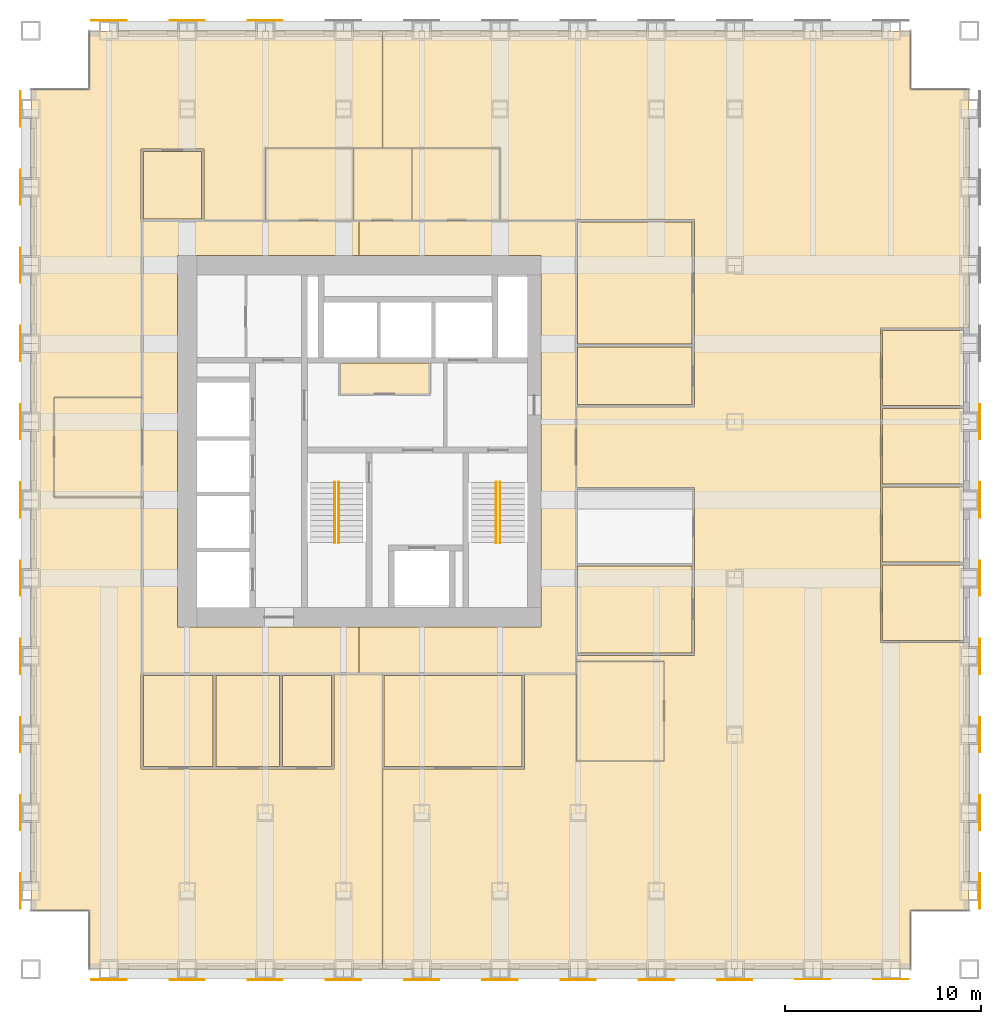
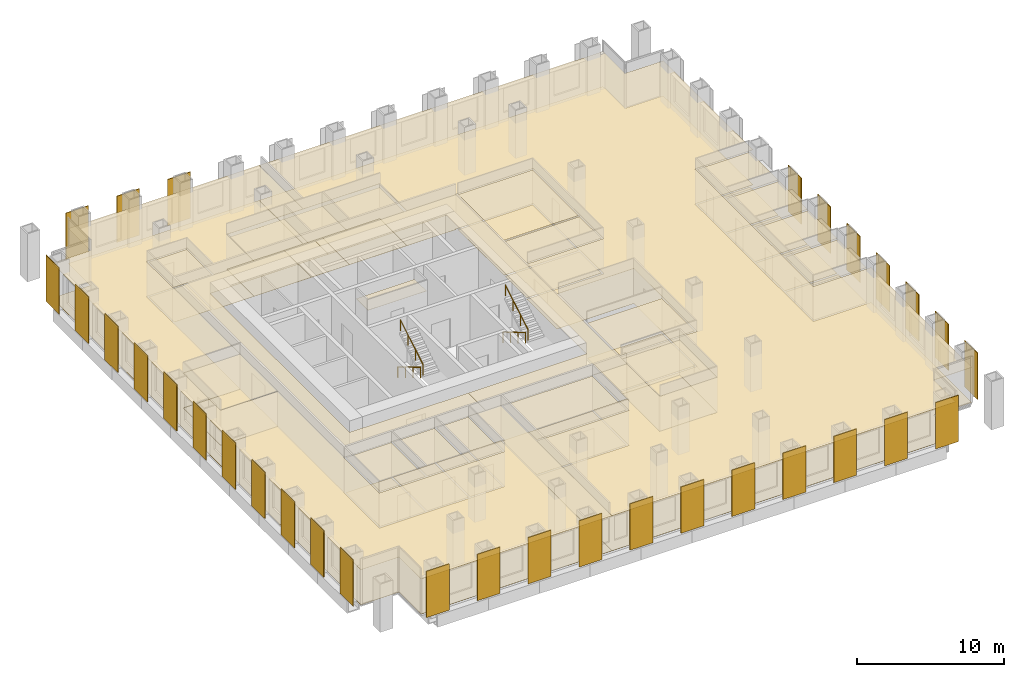
# One storey, part 15 of 16: 41 coverings, 32 shading devices, 4 railings.
"""IFC4 building model written with IfcOpenShell, lengths in metres."""

import ifcopenshell
import ifcopenshell.guid

model = None  # the IFC model being written
_history = None  # IfcOwnerHistory: only IFC2X3 demands one
_inside = {}  # id of a spatial element -> (the spatial element, [elements in it])
_under = {}  # id of a project, library or spatial element -> (it, [spatial elements below it])
_declared = {}  # id of a project -> (the project, [libraries it declares])
_typed = {}  # id of a type object -> (the type object, [elements of that type])
_made_of = {}  # id of a material, layer set ... -> (it, [elements and type objects made of it])


def new_model(schema):
    """Start an empty IFC model of exactly this schema.

    Asked for "IFC4X3", IfcOpenShell would pick the latest addendum, in which some entities
    have other attributes; the version numbers below select the first issue.
    IFC2X3 requires an IfcOwnerHistory on every rooted entity: one is made here for all.
    """
    global model, _history
    if schema == "IFC4X3":
        model = ifcopenshell.file(schema_version=(4, 3, 0, 0))
    else:
        model = ifcopenshell.file(schema=schema)
    _inside.clear()
    _under.clear()
    _declared.clear()
    _typed.clear()
    _made_of.clear()
    _history = None
    if model.schema == "IFC2X3":
        org = make("IfcOrganization", Name="unknown")
        user = make(
            "IfcPersonAndOrganization",
            ThePerson=make("IfcPerson", FamilyName="unknown"),
            TheOrganization=org,
        )
        app = make(
            "IfcApplication",
            ApplicationDeveloper=org,
            Version="unknown",
            ApplicationFullName="unknown",
            ApplicationIdentifier="unknown",
        )
        _history = make(
            "IfcOwnerHistory",
            OwningUser=user,
            OwningApplication=app,
            ChangeAction="ADDED",
            CreationDate=0,
        )
    return model


def make(cls, **values):
    """One entity of the class cls with the attributes given. An attribute that is None is left unset."""
    return model.create_entity(
        cls, **{name: value for name, value in values.items() if value is not None}
    )


def rooted(cls, **values):
    """An entity with a GlobalId (a new one), such as an element, a storey or a relation."""
    return make(cls, GlobalId=ifcopenshell.guid.new(), OwnerHistory=_history, **values)


def si_unit(unit_type, name, prefix=None):
    """IfcSIUnit, for example si_unit("LENGTHUNIT", "METRE", prefix="MILLI")."""
    return make("IfcSIUnit", UnitType=unit_type, Prefix=prefix, Name=name)


def assignment(units):
    """IfcUnitAssignment: the units of a project."""
    return None if units is None else make("IfcUnitAssignment", Units=units)


def point(xyz):
    """IfcCartesianPoint."""
    return None if xyz is None else make("IfcCartesianPoint", Coordinates=xyz)


def direction(xyz):
    """IfcDirection."""
    return None if xyz is None else make("IfcDirection", DirectionRatios=xyz)


def frame(location, z_axis=None, x_axis=None):
    """IfcAxis2Placement3D, a coordinate frame: its origin and axes. An axis left out is left unset."""
    return make(
        "IfcAxis2Placement3D",
        Location=point(location),
        Axis=direction(z_axis),
        RefDirection=direction(x_axis),
    )


def frame_2d(location, x_axis=None):
    """IfcAxis2Placement2D, a coordinate frame in the plane: its origin and x axis."""
    return make(
        "IfcAxis2Placement2D", Location=point(location), RefDirection=direction(x_axis)
    )


def origin():
    """The frame at (0, 0, 0) with its axes left unset."""
    return frame((0.0, 0.0, 0.0))


def origin_2d():
    """The frame at (0, 0) in the plane with its x axis left unset."""
    return frame_2d((0.0, 0.0))


def place(relative_to, where):
    """IfcLocalPlacement: puts the frame where relative to a parent placement (None: the world)."""
    return make(
        "IfcLocalPlacement", PlacementRelTo=relative_to, RelativePlacement=where
    )


def context(
    kind, dimensions, precision=None, world=None, true_north=None, identifier=None
):
    """IfcGeometricRepresentationContext, for example the 3D "Model" context."""
    return make(
        "IfcGeometricRepresentationContext",
        ContextIdentifier=identifier,
        ContextType=kind,
        CoordinateSpaceDimension=dimensions,
        Precision=precision,
        WorldCoordinateSystem=world,
        TrueNorth=true_north,
    )


def subcontext(parent, identifier, kind, view, scale=None):
    """IfcGeometricRepresentationSubContext, for example "Body" below "Model"."""
    return make(
        "IfcGeometricRepresentationSubContext",
        ContextIdentifier=identifier,
        ContextType=kind,
        ParentContext=parent,
        TargetScale=scale,
        TargetView=view,
    )


def project(units=None, contexts=None):
    """IfcProject with its units and contexts."""
    return rooted(
        "IfcProject",
        Name="project",
        RepresentationContexts=contexts,
        UnitsInContext=assignment(units),
    )


def spatial(cls, under=None, at=None, **own):
    """A site, building, storey or space (cls), placed at a placement, below another one or the project."""
    s = rooted(cls, ObjectPlacement=at, **own)
    if under is not None:
        _under.setdefault(under.id(), (under, []))[1].append(s)
    return s


def polyline(points):
    """IfcPolyline through the points."""
    return make("IfcPolyline", Points=[point(p) for p in points])


def profile(cls, at=None, kind="AREA", **sizes):
    """A parametric profile (cls). Its sizes go by their IFC names, for example OverallWidth=200.0."""
    return make(cls, ProfileType=kind, Position=at, **sizes)


def rectangle(**sizes):
    """IfcRectangleProfileDef."""
    return profile("IfcRectangleProfileDef", **sizes)


def circle(**sizes):
    """IfcCircleProfileDef."""
    return profile("IfcCircleProfileDef", **sizes)


def outline(outer, holes=None, kind="AREA"):
    """IfcArbitraryClosedProfileDef: a profile drawn as a closed curve; with holes, ...WithVoids."""
    if holes is None:
        return make("IfcArbitraryClosedProfileDef", ProfileType=kind, OuterCurve=outer)
    return make(
        "IfcArbitraryProfileDefWithVoids",
        ProfileType=kind,
        OuterCurve=outer,
        InnerCurves=holes,
    )


def extrude(swept, where, along, depth):
    """IfcExtrudedAreaSolid: the profile swept, set in the frame where, extruded along a direction by depth."""
    return make(
        "IfcExtrudedAreaSolid",
        SweptArea=swept,
        Position=where,
        ExtrudedDirection=direction(along),
        Depth=depth,
    )


def shape(context_of_items, identifier, shape_type, items):
    """IfcShapeRepresentation: the items that make up one representation, for example the "Body"."""
    return make(
        "IfcShapeRepresentation",
        ContextOfItems=context_of_items,
        RepresentationIdentifier=identifier,
        RepresentationType=shape_type,
        Items=items,
    )


def material(Name=None, Category=None):
    """IfcMaterial."""
    return make("IfcMaterial", Name=Name, Category=Category)


def layer(
    of_material, thickness, ventilated=None, Name=None, Category=None, Priority=None
):
    """IfcMaterialLayer: one layer of a wall or slab, of a material (None: an air gap)."""
    return make(
        "IfcMaterialLayer",
        Material=of_material,
        LayerThickness=thickness,
        IsVentilated=ventilated,
        Name=Name,
        Category=Category,
        Priority=Priority,
    )


def layer_set(layers, Name=None):
    """IfcMaterialLayerSet."""
    return make("IfcMaterialLayerSet", MaterialLayers=layers, LayerSetName=Name)


def made_of(thing, what):
    """Note that an element or type object is made of a material, layer set ...; save() writes the relation."""
    if what is not None:
        _made_of.setdefault(what.id(), (what, []))[1].append(thing)
    return thing


def type_object(cls, material=None, **own):
    """A type object (cls), such as IfcWallType, which elements share."""
    return made_of(rooted(cls, **own), material)


def element(
    cls,
    number,
    at=None,
    inside=None,
    cuts=None,
    type_object=None,
    material=None,
    context=None,
    identifier="Body",
    shape_type=None,
    held_by="IfcProductDefinitionShape",
    body=None,
    shapes=None,
    **own,
):
    """One element of the class cls, such as IfcWall. Its Tag is "e" and its number.

    at: its placement. inside: the storey or other place that contains it. cuts: it is an
    opening in that element (IfcRelVoidsElement). A single representation is given by context,
    identifier, shape_type and body (its items); several are given by shapes. held_by: the class
    of the entity that holds the representations. save() writes the other relations.
    """
    e = rooted(cls, Tag="e%d" % number, ObjectPlacement=at, **own)
    if body is not None:
        shapes = [shape(context, identifier, shape_type, body)]
    if shapes is not None:
        e.Representation = make(held_by, Representations=shapes)
    if inside is not None:
        _inside.setdefault(inside.id(), (inside, []))[1].append(e)
    if cuts is not None:
        rooted(
            "IfcRelVoidsElement", RelatingBuildingElement=cuts, RelatedOpeningElement=e
        )
    if type_object is not None:
        _typed.setdefault(type_object.id(), (type_object, []))[1].append(e)
    return made_of(e, material)


def aggregate(whole, parts):
    """IfcRelAggregates: a whole, such as a stair, and the parts it consists of."""
    return rooted("IfcRelAggregates", RelatingObject=whole, RelatedObjects=parts)


def save(model, path):
    """Write the relations noted so far, then the file.

    IfcRelAggregates (storeys below a building ...), IfcRelContainedInSpatialStructure (elements
    in a storey), IfcRelDefinesByType, IfcRelAssociatesMaterial and IfcRelDeclares: one each for
    every whole, place, type object, material and project.
    """
    for whole, parts in _under.values():
        aggregate(whole, parts)
    for where, things in _inside.values():
        rooted(
            "IfcRelContainedInSpatialStructure",
            RelatedElements=things,
            RelatingStructure=where,
        )
    for kind, things in _typed.values():
        rooted("IfcRelDefinesByType", RelatedObjects=things, RelatingType=kind)
    for what, things in _made_of.values():
        rooted("IfcRelAssociatesMaterial", RelatedObjects=things, RelatingMaterial=what)
    for by, libraries in _declared.values():
        rooted("IfcRelDeclares", RelatingContext=by, RelatedDefinitions=libraries)
    model.write(path)


model = new_model("IFC4")

# Units and contexts
model_context = context("Model", 3, precision=1e-05, world=origin(), true_north=direction((0.0, 1.0)))
body_context = subcontext(model_context, "Body", "Model", "MODEL_VIEW")
ifc_project = project(units=[si_unit("LENGTHUNIT", "METRE"), si_unit("AREAUNIT", "SQUARE_METRE"), si_unit("VOLUMEUNIT", "CUBIC_METRE"), si_unit("PLANEANGLEUNIT", "RADIAN"), si_unit("MASSUNIT", "GRAM", prefix="KILO")], contexts=[model_context])

# Site, building, storey
site_placement = place(None, origin())
site = spatial("IfcSite", under=ifc_project, at=site_placement, CompositionType="ELEMENT")
building_placement = place(site_placement, origin())
building = spatial("IfcBuilding", under=site, at=building_placement, Name="Rimbunsela Tower", CompositionType="ELEMENT")
storey_placement = place(building_placement, frame((0.0, 0.0, 89.39990234375)))
storey = spatial("IfcBuildingStorey", under=building, at=storey_placement, Name="L21", CompositionType="ELEMENT", Elevation=89.39990234375)

# Coverings
ifc_material_1 = material(Name="Nylon carpet tile", Category="textile")
ifc_layer_1 = layer(ifc_material_1, 0.010009765625)
ifc_layer_set_1 = layer_set([ifc_layer_1], Name="Carpet tile 10")
covering_type_1 = type_object("IfcCoveringType", Name="Carpet tile 10", PredefinedType="FLOORING", material=ifc_layer_set_1)
covering_1_placement = place(storey_placement, origin())
element("IfcCovering", 1, at=covering_1_placement, inside=storey, type_object=covering_type_1, Name="Floor finish Open office", PredefinedType="FLOORING", context=body_context, shape_type="SweptSolid", body=[
    extrude(outline(polyline([(19.449951171875, 10.25), (22.75, 10.25), (22.85009765625, 10.25), (25.5, 10.25), (25.5, 15.10009765625), (27.9990234375, 15.10009765625), (27.9990234375, 0.0), (15.699951171875, 0.0), (13.0, 0.0), (13.0, 3.0), (10.0, 3.0), (10.0, 45.0), (13.0, 45.0), (13.0, 48.0), (15.699951171875, 48.0), (27.9990234375, 48.0), (27.9990234375, 42.0), (22.0, 42.0), (22.0, 38.300048828125), (18.85009765625, 38.300048828125), (18.85009765625, 41.949951171875), (15.699951171875, 41.949951171875), (15.64990234375, 41.949951171875), (15.64990234375, 38.25), (15.699951171875, 38.25), (15.699951171875, 29.25), (11.199951171875, 29.25), (11.199951171875, 24.14990234375), (15.699951171875, 24.14990234375), (15.699951171875, 15.14990234375), (15.64990234375, 15.14990234375), (15.64990234375, 10.25), (15.699951171875, 10.25), (19.35009765625, 10.25), (19.449951171875, 10.25)])), origin(), (0.0, 0.0, 1.0), 0.010009765625),
])
covering_2_placement = place(storey_placement, origin())
element("IfcCovering", 2, at=covering_2_placement, inside=storey, type_object=covering_type_1, Name="Floor finish Open office", PredefinedType="FLOORING", context=body_context, shape_type="SweptSolid", body=[
    extrude(outline(polyline([(37.89990234375, 10.64990234375), (42.39990234375, 10.64990234375), (42.39990234375, 15.75), (37.89990234375, 15.75), (37.89990234375, 16.050048828125), (43.949951171875, 16.050048828125), (43.949951171875, 20.64990234375), (43.949951171875, 20.75), (43.949951171875, 24.64990234375), (37.89990234375, 24.64990234375), (37.89990234375, 28.75), (43.949951171875, 28.75), (43.949951171875, 31.85009765625), (43.949951171875, 31.949951171875), (43.949951171875, 38.35009765625), (37.89990234375, 38.35009765625), (37.85009765625, 38.35009765625), (37.85009765625, 38.300048828125), (34.0, 38.300048828125), (34.0, 42.0), (28.0009765625, 42.0), (28.0009765625, 48.0), (37.89990234375, 48.0), (55.0, 48.0), (55.0, 45.0), (58.0, 45.0), (58.0, 32.800048828125), (53.449951171875, 32.800048828125), (53.449951171875, 28.800048828125), (53.449951171875, 28.699951171875), (53.449951171875, 24.800048828125), (53.449951171875, 24.699951171875), (53.449951171875, 20.800048828125), (53.449951171875, 20.699951171875), (53.449951171875, 16.699951171875), (58.0, 16.699951171875), (58.0, 3.0), (55.0, 3.0), (55.0, 0.0), (37.89990234375, 0.0), (28.0009765625, 0.0), (28.0009765625, 10.25), (35.2509765625, 10.25), (35.2509765625, 15.10009765625), (37.89990234375, 15.10009765625), (37.89990234375, 10.64990234375)])), origin(), (0.0, 0.0, 1.0), 0.010009765625),
])
covering_3_placement = place(storey_placement, origin())
element("IfcCovering", 3, at=covering_3_placement, inside=storey, type_object=covering_type_1, Name="Floor finish Reception", PredefinedType="FLOORING", context=body_context, shape_type="SweptSolid", body=[
    extrude(outline(polyline([(15.699951171875, 24.14990234375), (15.699951171875, 29.25), (11.199951171875, 29.25), (11.199951171875, 24.14990234375), (15.699951171875, 24.14990234375)])), origin(), (0.0, 0.0, 1.0), 0.010009765625),
])
covering_4_placement = place(storey_placement, origin())
element("IfcCovering", 4, at=covering_4_placement, inside=storey, type_object=covering_type_1, Name="Floor finish Reception", PredefinedType="FLOORING", context=body_context, shape_type="SweptSolid", body=[
    extrude(outline(polyline([(42.39990234375, 10.64990234375), (42.39990234375, 15.75), (37.89990234375, 15.75), (37.89990234375, 10.64990234375), (42.39990234375, 10.64990234375)])), origin(), (0.0, 0.0, 1.0), 0.010009765625),
])
covering_5_placement = place(storey_placement, origin())
element("IfcCovering", 5, at=covering_5_placement, inside=storey, type_object=covering_type_1, Name="Floor finish Executive office", PredefinedType="FLOORING", context=body_context, shape_type="SweptSolid", body=[
    extrude(outline(polyline([(57.699951171875, 16.824951171875), (57.699951171875, 20.675048828125), (53.574951171875, 20.675048828125), (53.574951171875, 16.824951171875), (57.699951171875, 16.824951171875)])), origin(), (0.0, 0.0, 1.0), 0.010009765625),
])
covering_6_placement = place(storey_placement, origin())
element("IfcCovering", 6, at=covering_6_placement, inside=storey, type_object=covering_type_1, Name="Floor finish Executive office", PredefinedType="FLOORING", context=body_context, shape_type="SweptSolid", body=[
    extrude(outline(polyline([(57.699951171875, 20.824951171875), (57.699951171875, 24.675048828125), (53.574951171875, 24.675048828125), (53.574951171875, 20.824951171875), (57.699951171875, 20.824951171875)])), origin(), (0.0, 0.0, 1.0), 0.010009765625),
])
covering_7_placement = place(storey_placement, origin())
element("IfcCovering", 7, at=covering_7_placement, inside=storey, type_object=covering_type_1, Name="Floor finish Executive office", PredefinedType="FLOORING", context=body_context, shape_type="SweptSolid", body=[
    extrude(outline(polyline([(57.699951171875, 24.824951171875), (57.699951171875, 28.675048828125), (53.574951171875, 28.675048828125), (53.574951171875, 24.824951171875), (57.699951171875, 24.824951171875)])), origin(), (0.0, 0.0, 1.0), 0.010009765625),
])
covering_8_placement = place(storey_placement, origin())
element("IfcCovering", 8, at=covering_8_placement, inside=storey, type_object=covering_type_1, Name="Floor finish Executive office", PredefinedType="FLOORING", context=body_context, shape_type="SweptSolid", body=[
    extrude(outline(polyline([(57.699951171875, 28.824951171875), (57.699951171875, 32.675048828125), (53.574951171875, 32.675048828125), (53.574951171875, 28.824951171875), (57.699951171875, 28.824951171875)])), origin(), (0.0, 0.0, 1.0), 0.010009765625),
])
covering_9_placement = place(storey_placement, origin())
element("IfcCovering", 9, at=covering_9_placement, inside=storey, type_object=covering_type_1, Name="Floor finish Meeting room", PredefinedType="FLOORING", context=body_context, shape_type="SweptSolid", body=[
    extrude(outline(polyline([(19.324951171875, 10.375), (19.324951171875, 15.02490234375), (15.77490234375, 15.02490234375), (15.77490234375, 10.375), (19.324951171875, 10.375)])), origin(), (0.0, 0.0, 1.0), 0.010009765625),
])
covering_10_placement = place(storey_placement, origin())
element("IfcCovering", 10, at=covering_10_placement, inside=storey, type_object=covering_type_1, Name="Floor finish Pantry", PredefinedType="FLOORING", context=body_context, shape_type="SweptSolid", body=[
    extrude(outline(polyline([(22.72509765625, 10.375), (22.72509765625, 15.02490234375), (19.47509765625, 15.02490234375), (19.47509765625, 10.375), (22.72509765625, 10.375)])), origin(), (0.0, 0.0, 1.0), 0.010009765625),
])
covering_11_placement = place(storey_placement, origin())
element("IfcCovering", 11, at=covering_11_placement, inside=storey, type_object=covering_type_1, Name="Floor finish Print and copy room", PredefinedType="FLOORING", context=body_context, shape_type="SweptSolid", body=[
    extrude(outline(polyline([(25.375, 10.375), (25.375, 15.02490234375), (22.875, 15.02490234375), (22.875, 10.375), (25.375, 10.375)])), origin(), (0.0, 0.0, 1.0), 0.010009765625),
])
covering_12_placement = place(storey_placement, origin())
element("IfcCovering", 12, at=covering_12_placement, inside=storey, type_object=covering_type_1, Name="Floor finish Office", PredefinedType="FLOORING", context=body_context, shape_type="SweptSolid", body=[
    extrude(outline(polyline([(18.72509765625, 38.375), (18.72509765625, 41.824951171875), (15.77490234375, 41.824951171875), (15.77490234375, 38.375), (18.72509765625, 38.375)])), origin(), (0.0, 0.0, 1.0), 0.010009765625),
])
covering_13_placement = place(storey_placement, origin())
element("IfcCovering", 13, at=covering_13_placement, inside=storey, type_object=covering_type_1, Name="Floor finish Boardroom", PredefinedType="FLOORING", context=body_context, shape_type="SweptSolid", body=[
    extrude(outline(polyline([(35.1259765625, 10.375), (35.1259765625, 15.02490234375), (28.075927734375, 15.02490234375), (28.075927734375, 10.375), (35.1259765625, 10.375)])), origin(), (0.0, 0.0, 1.0), 0.010009765625),
])
covering_14_placement = place(storey_placement, origin())
element("IfcCovering", 14, at=covering_14_placement, inside=storey, type_object=covering_type_1, Name="Floor finish Pantry", PredefinedType="FLOORING", context=body_context, shape_type="SweptSolid", body=[
    extrude(outline(polyline([(43.824951171875, 16.175048828125), (43.824951171875, 20.625), (37.97509765625, 20.625), (37.97509765625, 16.175048828125), (43.824951171875, 16.175048828125)])), origin(), (0.0, 0.0, 1.0), 0.010009765625),
])
covering_15_placement = place(storey_placement, origin())
element("IfcCovering", 15, at=covering_15_placement, inside=storey, type_object=covering_type_1, Name="Floor finish Office", PredefinedType="FLOORING", context=body_context, shape_type="SweptSolid", body=[
    extrude(outline(polyline([(43.824951171875, 28.875), (43.824951171875, 31.824951171875), (37.97509765625, 31.824951171875), (37.97509765625, 28.875), (43.824951171875, 28.875)])), origin(), (0.0, 0.0, 1.0), 0.010009765625),
])
covering_16_placement = place(storey_placement, origin())
element("IfcCovering", 16, at=covering_16_placement, inside=storey, type_object=covering_type_1, Name="Floor finish Meeting room", PredefinedType="FLOORING", context=body_context, shape_type="SweptSolid", body=[
    extrude(outline(polyline([(43.824951171875, 31.97509765625), (43.824951171875, 38.22509765625), (37.97509765625, 38.22509765625), (37.97509765625, 31.97509765625), (43.824951171875, 31.97509765625)])), origin(), (0.0, 0.0, 1.0), 0.010009765625),
])
ifc_material_2 = material(Name="Mineral fibre ceiling tile", Category="gypsum")
ifc_layer_2 = layer(ifc_material_2, 0.02001953125)
ifc_layer_set_2 = layer_set([ifc_layer_2], Name="Ceiling 600 grid")
covering_type_2 = type_object("IfcCoveringType", Name="Ceiling 600 grid", PredefinedType="CEILING", material=ifc_layer_set_2)
covering_17_placement = place(storey_placement, frame((0.0, 0.0, 2.900146484375)))
element("IfcCovering", 17, at=covering_17_placement, inside=storey, type_object=covering_type_2, Name="Ceiling Staff pantry", PredefinedType="CEILING", context=body_context, shape_type="SweptSolid", body=[
    extrude(outline(polyline([(30.39990234375, 29.39990234375), (30.39990234375, 31.0), (25.800048828125, 31.0), (25.800048828125, 29.39990234375), (30.39990234375, 29.39990234375)])), origin(), (0.0, 0.0, 1.0), 0.02001953125),
])
covering_18_placement = place(storey_placement, frame((0.0, 0.0, 2.900146484375)))
element("IfcCovering", 18, at=covering_18_placement, inside=storey, type_object=covering_type_2, Name="Ceiling Ring corridor", PredefinedType="CEILING", context=body_context, shape_type="SweptSolid", body=[
    extrude(outline(polyline([(15.699951171875, 38.300048828125), (26.800048828125, 38.300048828125), (26.800048828125, 36.5), (17.5, 36.5), (17.5, 17.5), (26.800048828125, 17.5), (26.800048828125, 15.10009765625), (15.699951171875, 15.10009765625), (15.699951171875, 38.300048828125)])), origin(), (0.0, 0.0, 1.0), 0.02001953125),
])
covering_19_placement = place(storey_placement, frame((0.0, 0.0, 2.900146484375)))
element("IfcCovering", 19, at=covering_19_placement, inside=storey, type_object=covering_type_2, Name="Ceiling Ring corridor", PredefinedType="CEILING", context=body_context, shape_type="SweptSolid", body=[
    extrude(outline(polyline([(37.89990234375, 38.300048828125), (37.89990234375, 15.10009765625), (26.800048828125, 15.10009765625), (26.800048828125, 17.5), (36.10009765625, 17.5), (36.10009765625, 36.5), (26.800048828125, 36.5), (26.800048828125, 38.300048828125), (37.89990234375, 38.300048828125)])), origin(), (0.0, 0.0, 1.0), 0.02001953125),
])
covering_20_placement = place(storey_placement, frame((0.0, 0.0, 2.900146484375)))
element("IfcCovering", 20, at=covering_20_placement, inside=storey, type_object=covering_type_2, Name="Ceiling Open office", PredefinedType="CEILING", context=body_context, shape_type="SweptSolid", body=[
    extrude(outline(polyline([(19.449951171875, 10.25), (22.75, 10.25), (22.85009765625, 10.25), (25.5, 10.25), (25.5, 15.10009765625), (27.9990234375, 15.10009765625), (27.9990234375, 0.0), (15.699951171875, 0.0), (13.0, 0.0), (13.0, 3.0), (10.0, 3.0), (10.0, 45.0), (13.0, 45.0), (13.0, 48.0), (15.699951171875, 48.0), (27.9990234375, 48.0), (27.9990234375, 42.0), (22.0, 42.0), (22.0, 38.300048828125), (18.85009765625, 38.300048828125), (18.85009765625, 41.949951171875), (15.699951171875, 41.949951171875), (15.64990234375, 41.949951171875), (15.64990234375, 38.25), (15.699951171875, 38.25), (15.699951171875, 29.25), (11.199951171875, 29.25), (11.199951171875, 24.14990234375), (15.699951171875, 24.14990234375), (15.699951171875, 15.14990234375), (15.64990234375, 15.14990234375), (15.64990234375, 10.25), (15.699951171875, 10.25), (19.35009765625, 10.25), (19.449951171875, 10.25)])), origin(), (0.0, 0.0, 1.0), 0.02001953125),
])
covering_21_placement = place(storey_placement, frame((0.0, 0.0, 2.900146484375)))
element("IfcCovering", 21, at=covering_21_placement, inside=storey, type_object=covering_type_2, Name="Ceiling Open office", PredefinedType="CEILING", context=body_context, shape_type="SweptSolid", body=[
    extrude(outline(polyline([(37.89990234375, 10.64990234375), (42.39990234375, 10.64990234375), (42.39990234375, 15.75), (37.89990234375, 15.75), (37.89990234375, 16.050048828125), (43.949951171875, 16.050048828125), (43.949951171875, 20.64990234375), (43.949951171875, 20.75), (43.949951171875, 24.64990234375), (37.89990234375, 24.64990234375), (37.89990234375, 28.75), (43.949951171875, 28.75), (43.949951171875, 31.85009765625), (43.949951171875, 31.949951171875), (43.949951171875, 38.35009765625), (37.89990234375, 38.35009765625), (37.85009765625, 38.35009765625), (37.85009765625, 38.300048828125), (34.0, 38.300048828125), (34.0, 42.0), (28.0009765625, 42.0), (28.0009765625, 48.0), (37.89990234375, 48.0), (55.0, 48.0), (55.0, 45.0), (58.0, 45.0), (58.0, 32.800048828125), (53.449951171875, 32.800048828125), (53.449951171875, 28.800048828125), (53.449951171875, 28.699951171875), (53.449951171875, 24.800048828125), (53.449951171875, 24.699951171875), (53.449951171875, 20.800048828125), (53.449951171875, 20.699951171875), (53.449951171875, 16.699951171875), (58.0, 16.699951171875), (58.0, 3.0), (55.0, 3.0), (55.0, 0.0), (37.89990234375, 0.0), (28.0009765625, 0.0), (28.0009765625, 10.25), (35.2509765625, 10.25), (35.2509765625, 15.10009765625), (37.89990234375, 15.10009765625), (37.89990234375, 10.64990234375)])), origin(), (0.0, 0.0, 1.0), 0.02001953125),
])
covering_22_placement = place(storey_placement, frame((0.0, 0.0, 2.900146484375)))
element("IfcCovering", 22, at=covering_22_placement, inside=storey, type_object=covering_type_2, Name="Ceiling Reception", PredefinedType="CEILING", context=body_context, shape_type="SweptSolid", body=[
    extrude(outline(polyline([(15.699951171875, 24.14990234375), (15.699951171875, 29.25), (11.199951171875, 29.25), (11.199951171875, 24.14990234375), (15.699951171875, 24.14990234375)])), origin(), (0.0, 0.0, 1.0), 0.02001953125),
])
covering_23_placement = place(storey_placement, frame((0.0, 0.0, 2.900146484375)))
element("IfcCovering", 23, at=covering_23_placement, inside=storey, type_object=covering_type_2, Name="Ceiling Reception", PredefinedType="CEILING", context=body_context, shape_type="SweptSolid", body=[
    extrude(outline(polyline([(42.39990234375, 10.64990234375), (42.39990234375, 15.75), (37.89990234375, 15.75), (37.89990234375, 10.64990234375), (42.39990234375, 10.64990234375)])), origin(), (0.0, 0.0, 1.0), 0.02001953125),
])
covering_24_placement = place(storey_placement, frame((0.0, 0.0, 2.900146484375)))
element("IfcCovering", 24, at=covering_24_placement, inside=storey, type_object=covering_type_2, Name="Ceiling Executive office", PredefinedType="CEILING", context=body_context, shape_type="SweptSolid", body=[
    extrude(outline(polyline([(57.699951171875, 16.824951171875), (57.699951171875, 20.675048828125), (53.574951171875, 20.675048828125), (53.574951171875, 16.824951171875), (57.699951171875, 16.824951171875)])), origin(), (0.0, 0.0, 1.0), 0.02001953125),
])
covering_25_placement = place(storey_placement, frame((0.0, 0.0, 2.900146484375)))
element("IfcCovering", 25, at=covering_25_placement, inside=storey, type_object=covering_type_2, Name="Ceiling Executive office", PredefinedType="CEILING", context=body_context, shape_type="SweptSolid", body=[
    extrude(outline(polyline([(57.699951171875, 20.824951171875), (57.699951171875, 24.675048828125), (53.574951171875, 24.675048828125), (53.574951171875, 20.824951171875), (57.699951171875, 20.824951171875)])), origin(), (0.0, 0.0, 1.0), 0.02001953125),
])
covering_26_placement = place(storey_placement, frame((0.0, 0.0, 2.900146484375)))
element("IfcCovering", 26, at=covering_26_placement, inside=storey, type_object=covering_type_2, Name="Ceiling Executive office", PredefinedType="CEILING", context=body_context, shape_type="SweptSolid", body=[
    extrude(outline(polyline([(57.699951171875, 24.824951171875), (57.699951171875, 28.675048828125), (53.574951171875, 28.675048828125), (53.574951171875, 24.824951171875), (57.699951171875, 24.824951171875)])), origin(), (0.0, 0.0, 1.0), 0.02001953125),
])
covering_27_placement = place(storey_placement, frame((0.0, 0.0, 2.900146484375)))
element("IfcCovering", 27, at=covering_27_placement, inside=storey, type_object=covering_type_2, Name="Ceiling Executive office", PredefinedType="CEILING", context=body_context, shape_type="SweptSolid", body=[
    extrude(outline(polyline([(57.699951171875, 28.824951171875), (57.699951171875, 32.675048828125), (53.574951171875, 32.675048828125), (53.574951171875, 28.824951171875), (57.699951171875, 28.824951171875)])), origin(), (0.0, 0.0, 1.0), 0.02001953125),
])
covering_28_placement = place(storey_placement, frame((0.0, 0.0, 2.900146484375)))
element("IfcCovering", 28, at=covering_28_placement, inside=storey, type_object=covering_type_2, Name="Ceiling Meeting room", PredefinedType="CEILING", context=body_context, shape_type="SweptSolid", body=[
    extrude(outline(polyline([(19.324951171875, 10.375), (19.324951171875, 15.02490234375), (15.77490234375, 15.02490234375), (15.77490234375, 10.375), (19.324951171875, 10.375)])), origin(), (0.0, 0.0, 1.0), 0.02001953125),
])
covering_29_placement = place(storey_placement, frame((0.0, 0.0, 2.900146484375)))
element("IfcCovering", 29, at=covering_29_placement, inside=storey, type_object=covering_type_2, Name="Ceiling Pantry", PredefinedType="CEILING", context=body_context, shape_type="SweptSolid", body=[
    extrude(outline(polyline([(22.72509765625, 10.375), (22.72509765625, 15.02490234375), (19.47509765625, 15.02490234375), (19.47509765625, 10.375), (22.72509765625, 10.375)])), origin(), (0.0, 0.0, 1.0), 0.02001953125),
])
covering_30_placement = place(storey_placement, frame((0.0, 0.0, 2.900146484375)))
element("IfcCovering", 30, at=covering_30_placement, inside=storey, type_object=covering_type_2, Name="Ceiling Print and copy room", PredefinedType="CEILING", context=body_context, shape_type="SweptSolid", body=[
    extrude(outline(polyline([(25.375, 10.375), (25.375, 15.02490234375), (22.875, 15.02490234375), (22.875, 10.375), (25.375, 10.375)])), origin(), (0.0, 0.0, 1.0), 0.02001953125),
])
covering_31_placement = place(storey_placement, frame((0.0, 0.0, 2.900146484375)))
element("IfcCovering", 31, at=covering_31_placement, inside=storey, type_object=covering_type_2, Name="Ceiling Office", PredefinedType="CEILING", context=body_context, shape_type="SweptSolid", body=[
    extrude(outline(polyline([(18.72509765625, 38.375), (18.72509765625, 41.824951171875), (15.77490234375, 41.824951171875), (15.77490234375, 38.375), (18.72509765625, 38.375)])), origin(), (0.0, 0.0, 1.0), 0.02001953125),
])
covering_32_placement = place(storey_placement, frame((0.0, 0.0, 2.900146484375)))
element("IfcCovering", 32, at=covering_32_placement, inside=storey, type_object=covering_type_2, Name="Ceiling Boardroom", PredefinedType="CEILING", context=body_context, shape_type="SweptSolid", body=[
    extrude(outline(polyline([(35.1259765625, 10.375), (35.1259765625, 15.02490234375), (28.075927734375, 15.02490234375), (28.075927734375, 10.375), (35.1259765625, 10.375)])), origin(), (0.0, 0.0, 1.0), 0.02001953125),
])
covering_33_placement = place(storey_placement, frame((0.0, 0.0, 2.900146484375)))
element("IfcCovering", 33, at=covering_33_placement, inside=storey, type_object=covering_type_2, Name="Ceiling Pantry", PredefinedType="CEILING", context=body_context, shape_type="SweptSolid", body=[
    extrude(outline(polyline([(43.824951171875, 16.175048828125), (43.824951171875, 20.625), (37.97509765625, 20.625), (37.97509765625, 16.175048828125), (43.824951171875, 16.175048828125)])), origin(), (0.0, 0.0, 1.0), 0.02001953125),
])
covering_34_placement = place(storey_placement, frame((0.0, 0.0, 2.900146484375)))
element("IfcCovering", 34, at=covering_34_placement, inside=storey, type_object=covering_type_2, Name="Ceiling Office", PredefinedType="CEILING", context=body_context, shape_type="SweptSolid", body=[
    extrude(outline(polyline([(43.824951171875, 28.875), (43.824951171875, 31.824951171875), (37.97509765625, 31.824951171875), (37.97509765625, 28.875), (43.824951171875, 28.875)])), origin(), (0.0, 0.0, 1.0), 0.02001953125),
])
covering_35_placement = place(storey_placement, frame((0.0, 0.0, 2.900146484375)))
element("IfcCovering", 35, at=covering_35_placement, inside=storey, type_object=covering_type_2, Name="Ceiling Meeting room", PredefinedType="CEILING", context=body_context, shape_type="SweptSolid", body=[
    extrude(outline(polyline([(43.824951171875, 31.97509765625), (43.824951171875, 38.22509765625), (37.97509765625, 38.22509765625), (37.97509765625, 31.97509765625), (43.824951171875, 31.97509765625)])), origin(), (0.0, 0.0, 1.0), 0.02001953125),
])
ifc_material_3 = material(Name="Moisture-resistant plasterboard ceiling", Category="gypsum")
ifc_layer_3 = layer(ifc_material_3, 0.012451171875)
ifc_layer_set_3 = layer_set([ifc_layer_3], Name="Ceiling moisture-resistant board")
covering_type_3 = type_object("IfcCoveringType", Name="Ceiling moisture-resistant board", PredefinedType="CEILING", material=ifc_layer_set_3)
covering_36_placement = place(storey_placement, frame((0.0, 0.0, 2.60009765625)))
element("IfcCovering", 36, at=covering_36_placement, inside=storey, type_object=covering_type_3, Name="Ceiling Female WC", PredefinedType="CEILING", context=body_context, shape_type="SweptSolid", body=[
    extrude(outline(polyline([(26.5, 38.300048828125), (26.5, 42.0), (22.0, 42.0), (22.0, 38.300048828125), (26.5, 38.300048828125)])), origin(), (0.0, 0.0, 1.0), 0.02001953125),
])
covering_37_placement = place(storey_placement, frame((0.0, 0.0, 2.60009765625)))
element("IfcCovering", 37, at=covering_37_placement, inside=storey, type_object=covering_type_3, Name="Ceiling Accessible WC", PredefinedType="CEILING", context=body_context, shape_type="SweptSolid", body=[
    extrude(outline(polyline([(29.5, 38.300048828125), (29.5, 42.0), (26.5, 42.0), (26.5, 38.300048828125), (29.5, 38.300048828125)])), origin(), (0.0, 0.0, 1.0), 0.02001953125),
])
covering_38_placement = place(storey_placement, frame((0.0, 0.0, 2.60009765625)))
element("IfcCovering", 38, at=covering_38_placement, inside=storey, type_object=covering_type_3, Name="Ceiling Male WC", PredefinedType="CEILING", context=body_context, shape_type="SweptSolid", body=[
    extrude(outline(polyline([(34.0, 38.300048828125), (34.0, 42.0), (29.5, 42.0), (29.5, 38.300048828125), (34.0, 38.300048828125)])), origin(), (0.0, 0.0, 1.0), 0.02001953125),
])
ifc_material_4 = material(Name="Porcelain floor tile in adhesive bed", Category="ceramic")
ifc_layer_4 = layer(ifc_material_4, 0.02001953125)
ifc_layer_set_4 = layer_set([ifc_layer_4], Name="Porcelain tile 20")
covering_type_4 = type_object("IfcCoveringType", Name="Porcelain tile 20", PredefinedType="FLOORING", material=ifc_layer_set_4)
covering_39_placement = place(storey_placement, origin())
element("IfcCovering", 39, at=covering_39_placement, inside=storey, type_object=covering_type_4, Name="Floor finish Female WC", PredefinedType="FLOORING", context=body_context, shape_type="SweptSolid", body=[
    extrude(outline(polyline([(26.5, 38.300048828125), (26.5, 42.0), (22.0, 42.0), (22.0, 38.300048828125), (26.5, 38.300048828125)])), origin(), (0.0, 0.0, 1.0), 0.02001953125),
])
covering_40_placement = place(storey_placement, origin())
element("IfcCovering", 40, at=covering_40_placement, inside=storey, type_object=covering_type_4, Name="Floor finish Accessible WC", PredefinedType="FLOORING", context=body_context, shape_type="SweptSolid", body=[
    extrude(outline(polyline([(29.5, 38.300048828125), (29.5, 42.0), (26.5, 42.0), (26.5, 38.300048828125), (29.5, 38.300048828125)])), origin(), (0.0, 0.0, 1.0), 0.02001953125),
])
covering_41_placement = place(storey_placement, origin())
element("IfcCovering", 41, at=covering_41_placement, inside=storey, type_object=covering_type_4, Name="Floor finish Male WC", PredefinedType="FLOORING", context=body_context, shape_type="SweptSolid", body=[
    extrude(outline(polyline([(34.0, 38.300048828125), (34.0, 42.0), (29.5, 42.0), (29.5, 38.300048828125), (34.0, 38.300048828125)])), origin(), (0.0, 0.0, 1.0), 0.02001953125),
])

# Shading devices
ifc_material_5 = material(Name="Perforated aluminium, 35 % open area", Category="aluminium")
ifc_layer_5 = layer(ifc_material_5, 0.050048828125)
ifc_layer_set_5 = layer_set([ifc_layer_5], Name="Solar screen panel 1800")
shading_device_type = type_object("IfcShadingDeviceType", Name="Solar screen panel 1800", PredefinedType="USERDEFINED", material=ifc_layer_set_5)
for number, where, z_axis, x_axis, name in (
    (42, (14.0, -0.52490234375, 0.0), (0.0, 0.0, 1.0), (1.0, 0.0, 0.0), "Solar screen S L21"),
    (43, (18.0, -0.52490234375, 0.0), (0.0, 0.0, 1.0), (1.0, 0.0, 0.0), "Solar screen S L21"),
    (44, (22.0, -0.52490234375, 0.0), (0.0, 0.0, 1.0), (1.0, 0.0, 0.0), "Solar screen S L21"),
    (45, (26.0, -0.52490234375, 0.0), (0.0, 0.0, 1.0), (1.0, 0.0, 0.0), "Solar screen S L21"),
    (46, (30.0, -0.52490234375, 0.0), (0.0, 0.0, 1.0), (1.0, 0.0, 0.0), "Solar screen S L21"),
    (47, (34.0, -0.52490234375, 0.0), (0.0, 0.0, 1.0), (1.0, 0.0, 0.0), "Solar screen S L21"),
    (48, (38.0, -0.52490234375, 0.0), (0.0, 0.0, 1.0), (1.0, 0.0, 0.0), "Solar screen S L21"),
    (49, (42.0, -0.52490234375, 0.0), (0.0, 0.0, 1.0), (1.0, 0.0, 0.0), "Solar screen S L21"),
    (50, (46.0, -0.52490234375, 0.0), (0.0, 0.0, 1.0), (1.0, 0.0, 0.0), "Solar screen S L21"),
    (51, (50.0, -0.52490234375, 0.0), (0.0, 0.0, 1.0), (1.0, 0.0, 0.0), "Solar screen S L21"),
    (52, (54.0, -0.52490234375, 0.0), (0.0, 0.0, 1.0), (1.0, 0.0, 0.0), "Solar screen S L21"),
    (53, (58.52490234375, 4.0, 0.0), (0.0, 0.0, 1.0), (0.0, 1.0, 0.0), "Solar screen E L21"),
    (54, (58.52490234375, 8.0, 0.0), (0.0, 0.0, 1.0), (0.0, 1.0, 0.0), "Solar screen E L21"),
    (55, (58.52490234375, 12.0, 0.0), (0.0, 0.0, 1.0), (0.0, 1.0, 0.0), "Solar screen E L21"),
    (56, (58.52490234375, 16.0, 0.0), (0.0, 0.0, 1.0), (0.0, 1.0, 0.0), "Solar screen E L21"),
    (57, (58.52490234375, 20.0, 0.0), (0.0, 0.0, 1.0), (0.0, 1.0, 0.0), "Solar screen E L21"),
    (58, (58.52490234375, 24.0, 0.0), (0.0, 0.0, 1.0), (0.0, 1.0, 0.0), "Solar screen E L21"),
    (59, (58.52490234375, 28.0, 0.0), (0.0, 0.0, 1.0), (0.0, 1.0, 0.0), "Solar screen E L21"),
    (60, (14.0, 48.52490234375, 0.0), (0.0, 0.0, 1.0), (1.0, 0.0, 0.0), "Solar screen N L21"),
    (61, (18.0, 48.52490234375, 0.0), (0.0, 0.0, 1.0), (1.0, 0.0, 0.0), "Solar screen N L21"),
    (62, (22.0, 48.52490234375, 0.0), (0.0, 0.0, 1.0), (1.0, 0.0, 0.0), "Solar screen N L21"),
    (63, (9.47509765625, 4.0, 0.0), (0.0, 0.0, 1.0), (0.0, 1.0, 0.0), "Solar screen W L21"),
    (64, (9.47509765625, 8.0, 0.0), (0.0, 0.0, 1.0), (0.0, 1.0, 0.0), "Solar screen W L21"),
    (65, (9.47509765625, 12.0, 0.0), (0.0, 0.0, 1.0), (0.0, 1.0, 0.0), "Solar screen W L21"),
    (66, (9.47509765625, 16.0, 0.0), (0.0, 0.0, 1.0), (0.0, 1.0, 0.0), "Solar screen W L21"),
    (67, (9.47509765625, 20.0, 0.0), (0.0, 0.0, 1.0), (0.0, 1.0, 0.0), "Solar screen W L21"),
    (68, (9.47509765625, 24.0, 0.0), (0.0, 0.0, 1.0), (0.0, 1.0, 0.0), "Solar screen W L21"),
    (69, (9.47509765625, 28.0, 0.0), (0.0, 0.0, 1.0), (0.0, 1.0, 0.0), "Solar screen W L21"),
    (70, (9.47509765625, 32.0, 0.0), (0.0, 0.0, 1.0), (0.0, 1.0, 0.0), "Solar screen W L21"),
    (71, (9.47509765625, 36.0, 0.0), (0.0, 0.0, 1.0), (0.0, 1.0, 0.0), "Solar screen W L21"),
    (72, (9.47509765625, 40.0, 0.0), (0.0, 0.0, 1.0), (0.0, 1.0, 0.0), "Solar screen W L21"),
    (73, (9.47509765625, 44.0, 0.0), (0.0, 0.0, 1.0), (0.0, 1.0, 0.0), "Solar screen W L21"),
):
    element("IfcShadingDevice", number, at=place(storey_placement, frame(where, z_axis=z_axis, x_axis=x_axis)), inside=storey, type_object=shading_device_type, Name=name, ObjectType="SCREEN", PredefinedType="USERDEFINED", context=body_context, shape_type="SweptSolid", body=[
        extrude(rectangle(XDim=1.800048828125, YDim=0.050048828125, at=origin_2d()), origin(), (0.0, 0.0, 1.0), 3.85009765625),
    ])

# Railings
ifc_material_6 = material(Name="Stainless steel tube", Category="steel")
railing_type = type_object("IfcRailingType", Name="Stair handrail 900", PredefinedType="HANDRAIL", material=ifc_material_6)
railing_1_placement = place(storey_placement, frame((25.550048828125, 24.89990234375, 0.166748046875)))
element("IfcRailing", 74, at=railing_1_placement, inside=storey, type_object=railing_type, Name="Handrail ST-A flight 1", PredefinedType="HANDRAIL", context=body_context, shape_type="SweptSolid", body=[
    extrude(circle(Radius=0.02392578125, at=origin_2d()), frame((0.0, 0.0, 0.8759765625), z_axis=(0.0, -0.859290745958, 0.51148745235), x_axis=(1.0, 0.0, 0.0)), (0.0, 0.0, 1.0), 3.584228515625),
    extrude(circle(Radius=0.02099609375, at=origin_2d()), origin(), (0.0, 0.0, 1.0), 0.851806640625),
    extrude(circle(Radius=0.02099609375, at=origin_2d()), frame((0.0, -1.026611328125, 0.611083984375)), (0.0, 0.0, 1.0), 0.851806640625),
    extrude(circle(Radius=0.02099609375, at=origin_2d()), frame((0.0, -2.05322265625, 1.22216796875)), (0.0, 0.0, 1.0), 0.851806640625),
    extrude(circle(Radius=0.02099609375, at=origin_2d()), frame((0.0, -3.079833984375, 1.833251953125)), (0.0, 0.0, 1.0), 0.851806640625),
])
railing_2_placement = place(storey_placement, frame((25.75, 21.820068359375, 2.166748046875)))
element("IfcRailing", 75, at=railing_2_placement, inside=storey, type_object=railing_type, Name="Handrail ST-A flight 2", PredefinedType="HANDRAIL", context=body_context, shape_type="SweptSolid", body=[
    extrude(circle(Radius=0.02392578125, at=origin_2d()), frame((0.0, 0.0, 0.8759765625), z_axis=(0.0, 0.859290745958, 0.51148745235), x_axis=(-1.0, 0.0, 0.0)), (0.0, 0.0, 1.0), 3.584228515625),
    extrude(circle(Radius=0.02099609375, at=origin_2d()), origin(), (0.0, 0.0, 1.0), 0.851806640625),
    extrude(circle(Radius=0.02099609375, at=origin_2d()), frame((0.0, 1.026611328125, 0.611083984375)), (0.0, 0.0, 1.0), 0.851806640625),
    extrude(circle(Radius=0.02099609375, at=origin_2d()), frame((0.0, 2.05322265625, 1.22216796875)), (0.0, 0.0, 1.0), 0.851806640625),
    extrude(circle(Radius=0.02099609375, at=origin_2d()), frame((0.0, 3.079833984375, 1.833251953125)), (0.0, 0.0, 1.0), 0.851806640625),
])
railing_3_placement = place(storey_placement, frame((33.800048828125, 24.89990234375, 0.166748046875)))
element("IfcRailing", 76, at=railing_3_placement, inside=storey, type_object=railing_type, Name="Handrail ST-B flight 1", PredefinedType="HANDRAIL", context=body_context, shape_type="SweptSolid", body=[
    extrude(circle(Radius=0.02392578125, at=origin_2d()), frame((0.0, 0.0, 0.8759765625), z_axis=(0.0, -0.859290745958, 0.51148745235), x_axis=(1.0, 0.0, 0.0)), (0.0, 0.0, 1.0), 3.584228515625),
    extrude(circle(Radius=0.02099609375, at=origin_2d()), origin(), (0.0, 0.0, 1.0), 0.851806640625),
    extrude(circle(Radius=0.02099609375, at=origin_2d()), frame((0.0, -1.026611328125, 0.611083984375)), (0.0, 0.0, 1.0), 0.851806640625),
    extrude(circle(Radius=0.02099609375, at=origin_2d()), frame((0.0, -2.05322265625, 1.22216796875)), (0.0, 0.0, 1.0), 0.851806640625),
    extrude(circle(Radius=0.02099609375, at=origin_2d()), frame((0.0, -3.079833984375, 1.833251953125)), (0.0, 0.0, 1.0), 0.851806640625),
])
railing_4_placement = place(storey_placement, frame((34.0, 21.820068359375, 2.166748046875)))
element("IfcRailing", 77, at=railing_4_placement, inside=storey, type_object=railing_type, Name="Handrail ST-B flight 2", PredefinedType="HANDRAIL", context=body_context, shape_type="SweptSolid", body=[
    extrude(circle(Radius=0.02392578125, at=origin_2d()), frame((0.0, 0.0, 0.8759765625), z_axis=(0.0, 0.859290745958, 0.51148745235), x_axis=(-1.0, 0.0, 0.0)), (0.0, 0.0, 1.0), 3.584228515625),
    extrude(circle(Radius=0.02099609375, at=origin_2d()), origin(), (0.0, 0.0, 1.0), 0.851806640625),
    extrude(circle(Radius=0.02099609375, at=origin_2d()), frame((0.0, 1.026611328125, 0.611083984375)), (0.0, 0.0, 1.0), 0.851806640625),
    extrude(circle(Radius=0.02099609375, at=origin_2d()), frame((0.0, 2.05322265625, 1.22216796875)), (0.0, 0.0, 1.0), 0.851806640625),
    extrude(circle(Radius=0.02099609375, at=origin_2d()), frame((0.0, 3.079833984375, 1.833251953125)), (0.0, 0.0, 1.0), 0.851806640625),
])

save(model, "model.ifc")
